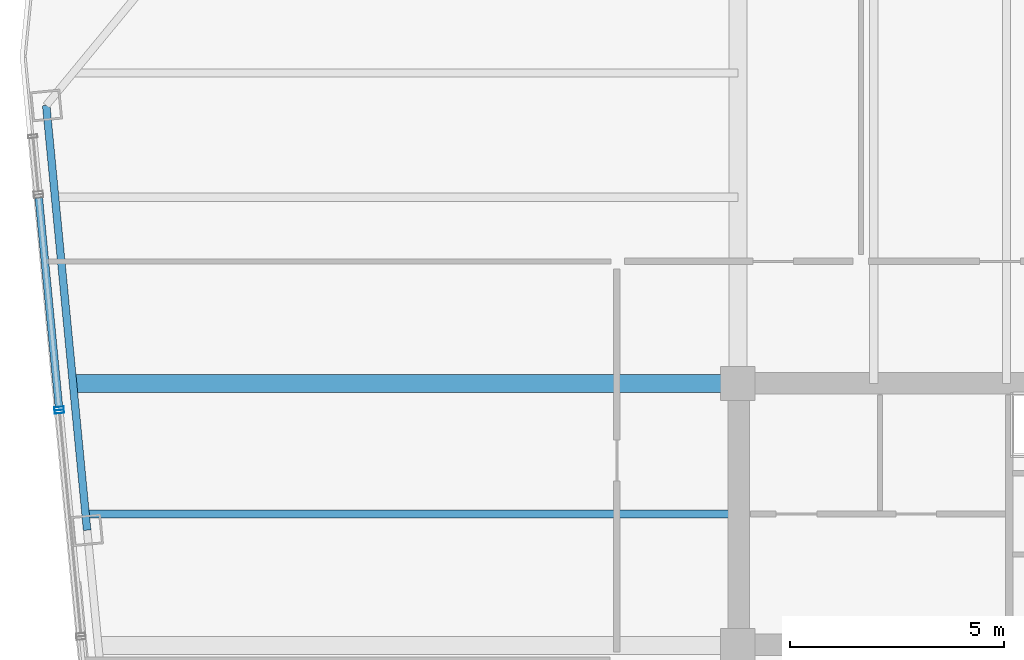
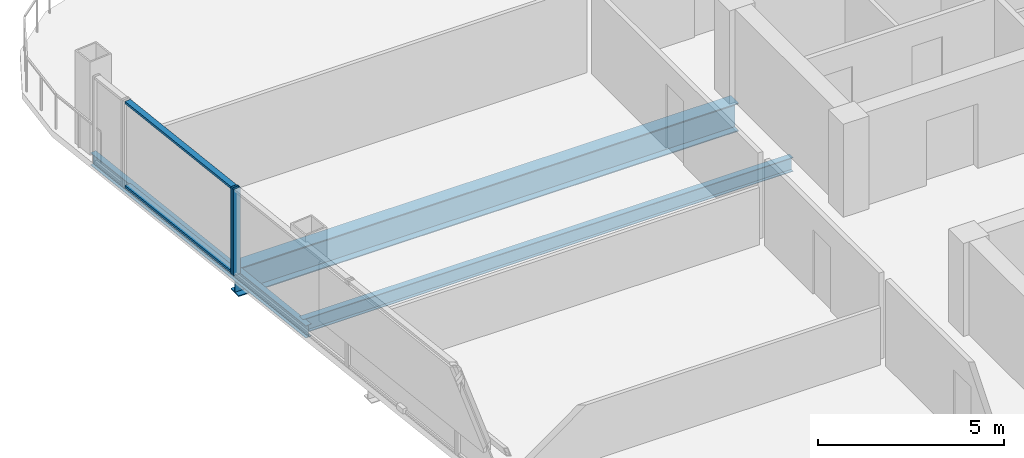
# One storey, part 11 of 29: 4 members, 3 beams, 2 elements without a shape of their own.
"""IFC4 building model written with IfcOpenShell, lengths in metres."""

from ifc_helpers import new_model, si_unit, direction, frame, origin, origin_2d, place, context, subcontext, project, spatial, hollow_rectangle, i_section, extrude, material, layer, layer_set, material_profile, profile_set, type_object, element, aggregate, save


model = new_model("IFC4")

# Units and contexts
model_context = context("Model", 3, precision=1e-05, world=origin(), true_north=direction((0.0, 1.0)))
body_context = subcontext(model_context, "Body", "Model", "MODEL_VIEW")
ifc_project = project(units=[si_unit("LENGTHUNIT", "METRE"), si_unit("AREAUNIT", "SQUARE_METRE"), si_unit("VOLUMEUNIT", "CUBIC_METRE"), si_unit("PLANEANGLEUNIT", "RADIAN"), si_unit("MASSUNIT", "GRAM", prefix="KILO")], contexts=[model_context])

# Site, building, storey
site_placement = place(None, origin())
site = spatial("IfcSite", under=ifc_project, at=site_placement, CompositionType="ELEMENT")
building_placement = place(site_placement, origin())
building = spatial("IfcBuilding", under=site, at=building_placement, Name="Qhalaya Broadcast Tower", CompositionType="ELEMENT")
storey_placement = place(building_placement, frame((0.0, 0.0, 177.5)))
storey = spatial("IfcBuildingStorey", under=building, at=storey_placement, Name="L52", CompositionType="ELEMENT", Elevation=177.5)

# Beams
ifc_material_1 = material(Name="Structural Steel ASTM A992 Grade 50", Category="steel")
ifc_material_profile_1 = material_profile(ifc_material_1, i_section(OverallWidth=0.19189453125, OverallDepth=0.462890625, WebThickness=0.010498046875, FlangeThickness=0.017578125, at=origin_2d()), Name="W18X60")
ifc_profile_set_1 = profile_set([ifc_material_profile_1], Name="Structural Steel ASTM A992 Grade 50")
beam_type_1 = type_object("IfcBeamType", Name="Composite Floor Joist J03", PredefinedType="JOIST", material=ifc_profile_set_1)
beam_1_placement = place(storey_placement, frame((-24.589111328125, 6.89990234375, -0.451416015625), z_axis=(1.0, 0.0, 0.0), x_axis=(0.0, 1.0, 0.0)))
element("IfcBeam", 1, at=beam_1_placement, inside=storey, type_object=beam_type_1, Name="L52 J03 L52-JWE5W-1", PredefinedType="JOIST", context=body_context, shape_type="SweptSolid", body=[
    extrude(i_section(OverallWidth=0.19189453125, OverallDepth=0.462890625, WebThickness=0.010498046875, FlangeThickness=0.017578125, at=origin_2d()), origin(), (0.0, 0.0, 1.0), 15.214111328125),
])
ifc_material_profile_2 = material_profile(ifc_material_1, i_section(OverallWidth=0.4189453125, OverallDepth=0.927001953125, WebThickness=0.019287109375, FlangeThickness=0.031982421875, at=origin_2d()), Name="W36X231")
ifc_profile_set_2 = profile_set([ifc_material_profile_2], Name="Structural Steel ASTM A992 Grade 50")
beam_type_2 = type_object("IfcBeamType", Name="Mid Block Primary Girder PG3", PredefinedType="USERDEFINED", material=ifc_profile_set_2)
beam_2_placement = place(storey_placement, frame((-24.882568359375, 9.949951171875, -0.68359375), z_axis=(1.0, 0.0, 0.0), x_axis=(0.0, 1.0, 0.0)))
element("IfcBeam", 2, at=beam_2_placement, inside=storey, type_object=beam_type_2, Name="L52 PG3 L52-PGYW4-1", ObjectType="GIRDER", PredefinedType="USERDEFINED", context=body_context, shape_type="SweptSolid", body=[
    extrude(i_section(OverallWidth=0.4189453125, OverallDepth=0.927001953125, WebThickness=0.019287109375, FlangeThickness=0.031982421875, at=origin_2d()), origin(), (0.0, 0.0, 1.0), 15.507568359375),
])

# Curtain wall, member
ifc_material_2 = material(Name="Fired Architectural Terracotta", Category="masonry")
ifc_layer_1 = layer(ifc_material_2, 0.219970703125, Name="Fired Architectural Terracotta")
ifc_layer_set_1 = layer_set([ifc_layer_1], Name="Fired Architectural Terracotta")
curtain_wall_type_1 = type_object("IfcCurtainWallType", Name="Block-Cap Unitised Terracotta Spandrel Wall CW-07", PredefinedType="NOTDEFINED", material=ifc_layer_set_1)
curtain_wall_1_placement = place(storey_placement, origin())
curtain_wall_1 = element("IfcCurtainWall", 3, at=curtain_wall_1_placement, inside=storey, type_object=curtain_wall_type_1, Name="L52 Unitised Curtain Wall L52-CW-W2", PredefinedType="NOTDEFINED")
ifc_material_3 = material(Name="Anodised Aluminium 6063-T6", Category="aluminium")
ifc_material_profile_3 = material_profile(ifc_material_3, hollow_rectangle(XDim=0.074951171875, YDim=0.219970703125, WallThickness=0.00390625, at=origin_2d()), Name="ALU-MUL 75x220x4")
ifc_profile_set_3 = profile_set([ifc_material_profile_3], Name="Anodised Aluminium 6063-T6")
member_type_1 = type_object("IfcMemberType", Name="Unitised Curtain-Wall Mullion M01", PredefinedType="MULLION", material=ifc_profile_set_3)
member_1_placement = place(storey_placement, frame((-25.22802734375, 9.364501953125, 0.0), z_axis=(0.0, 0.0, 1.0), x_axis=(0.09584506238, -0.99539626482, 0.0)))
member_1 = element("IfcMember", 4, at=member_1_placement, type_object=member_type_1, Name="CW-07 mullion 2", PredefinedType="MULLION", context=body_context, shape_type="SweptSolid", body=[
    extrude(hollow_rectangle(XDim=0.074951171875, YDim=0.219970703125, WallThickness=0.00390625, at=origin_2d()), origin(), (0.0, 0.0, 1.0), 2.830078125),
])

ifc_material_4 = material(Name="Solar-Control Low-E Triple Glazing", Category="glass")
ifc_layer_2 = layer(ifc_material_4, 0.219970703125, Name="Solar-Control Low-E Triple Glazing")
ifc_layer_set_2 = layer_set([ifc_layer_2], Name="Solar-Control Low-E Triple Glazing")
curtain_wall_type_2 = type_object("IfcCurtainWallType", Name="Even-Block 4-Storey Double-Module Curtain Wall CW-03", PredefinedType="NOTDEFINED", material=ifc_layer_set_2)
curtain_wall_2_placement = place(storey_placement, origin())
curtain_wall_2 = element("IfcCurtainWall", 5, at=curtain_wall_2_placement, inside=storey, type_object=curtain_wall_type_2, Name="L52 Unitised Curtain Wall L52-CW-W3", PredefinedType="NOTDEFINED")
member_2_placement = place(storey_placement, frame((-25.220947265625, 9.289794921875, 0.0), z_axis=(0.0, 0.0, 1.0), x_axis=(0.095839772631, -0.995396774147, 0.0)))
member_2 = element("IfcMember", 6, at=member_2_placement, type_object=member_type_1, Name="CW-03 mullion 1", PredefinedType="MULLION", context=body_context, shape_type="SweptSolid", body=[
    extrude(hollow_rectangle(XDim=0.074951171875, YDim=0.219970703125, WallThickness=0.00390625, at=origin_2d()), origin(), (0.0, 0.0, 1.0), 2.830078125),
])
aggregate(curtain_wall_2, [member_2])

# Member
ifc_material_profile_4 = material_profile(ifc_material_3, hollow_rectangle(XDim=0.074951171875, YDim=0.179931640625, WallThickness=0.00390625, at=origin_2d()), Name="ALU-TRN 75x180x4")
ifc_profile_set_4 = profile_set([ifc_material_profile_4], Name="Anodised Aluminium 6063-T6")
member_type_2 = type_object("IfcMemberType", Name="Unitised Curtain-Wall Transom T01", PredefinedType="USERDEFINED", material=ifc_profile_set_4)
member_3_placement = place(storey_placement, frame((-25.701904296875, 14.285400390625, 0.03759765625), z_axis=(0.095842309482, -0.995396529888, 0.0), x_axis=(0.0, 0.0, 1.0)))
member_3 = element("IfcMember", 7, at=member_3_placement, type_object=member_type_2, Name="CW-07 transom 1.1", ObjectType="TRANSOM", PredefinedType="USERDEFINED", context=body_context, shape_type="SweptSolid", body=[
    extrude(hollow_rectangle(XDim=0.074951171875, YDim=0.179931640625, WallThickness=0.00390625, at=origin_2d()), origin(), (0.0, 0.0, 1.0), 4.90625),
])

member_4_placement = place(storey_placement, frame((-25.701904296875, 14.285400390625, 2.79248046875), z_axis=(0.095842309482, -0.995396529888, 0.0), x_axis=(0.0, 0.0, 1.0)))
member_4 = element("IfcMember", 8, at=member_4_placement, type_object=member_type_2, Name="CW-07 transom 1.2", ObjectType="TRANSOM", PredefinedType="USERDEFINED", context=body_context, shape_type="SweptSolid", body=[
    extrude(hollow_rectangle(XDim=0.074951171875, YDim=0.179931640625, WallThickness=0.00390625, at=origin_2d()), origin(), (0.0, 0.0, 1.0), 4.90625),
])

aggregate(curtain_wall_1, [member_1, member_3, member_4])

# Beam
ifc_material_profile_5 = material_profile(ifc_material_1, i_section(OverallWidth=0.177978515625, OverallDepth=0.406005859375, WebThickness=0.0078125, FlangeThickness=0.0126953125, at=origin_2d()), Name="W16X40")
ifc_profile_set_5 = profile_set([ifc_material_profile_5], Name="Structural Steel ASTM A992 Grade 50")
beam_type_3 = type_object("IfcBeamType", Name="Upper Perimeter Spandrel Beam SP2", PredefinedType="SPANDREL", material=ifc_profile_set_5)
beam_3_placement = place(storey_placement, frame((-25.52783203125, 16.44189453125, -0.423095703125), z_axis=(0.095852900965, -0.995395510024, 0.0), x_axis=(0.995395510024, 0.095852900965, 0.0)))
element("IfcBeam", 9, at=beam_3_placement, inside=storey, type_object=beam_type_3, Name="L52 SP2 L52-SPR-13", PredefinedType="SPANDREL", context=body_context, shape_type="SweptSolid", body=[
    extrude(i_section(OverallWidth=0.177978515625, OverallDepth=0.406005859375, WebThickness=0.0078125, FlangeThickness=0.0126953125, at=origin_2d()), origin(), (0.0, 0.0, 1.0), 9.966552734375),
])

save(model, "model.ifc")
